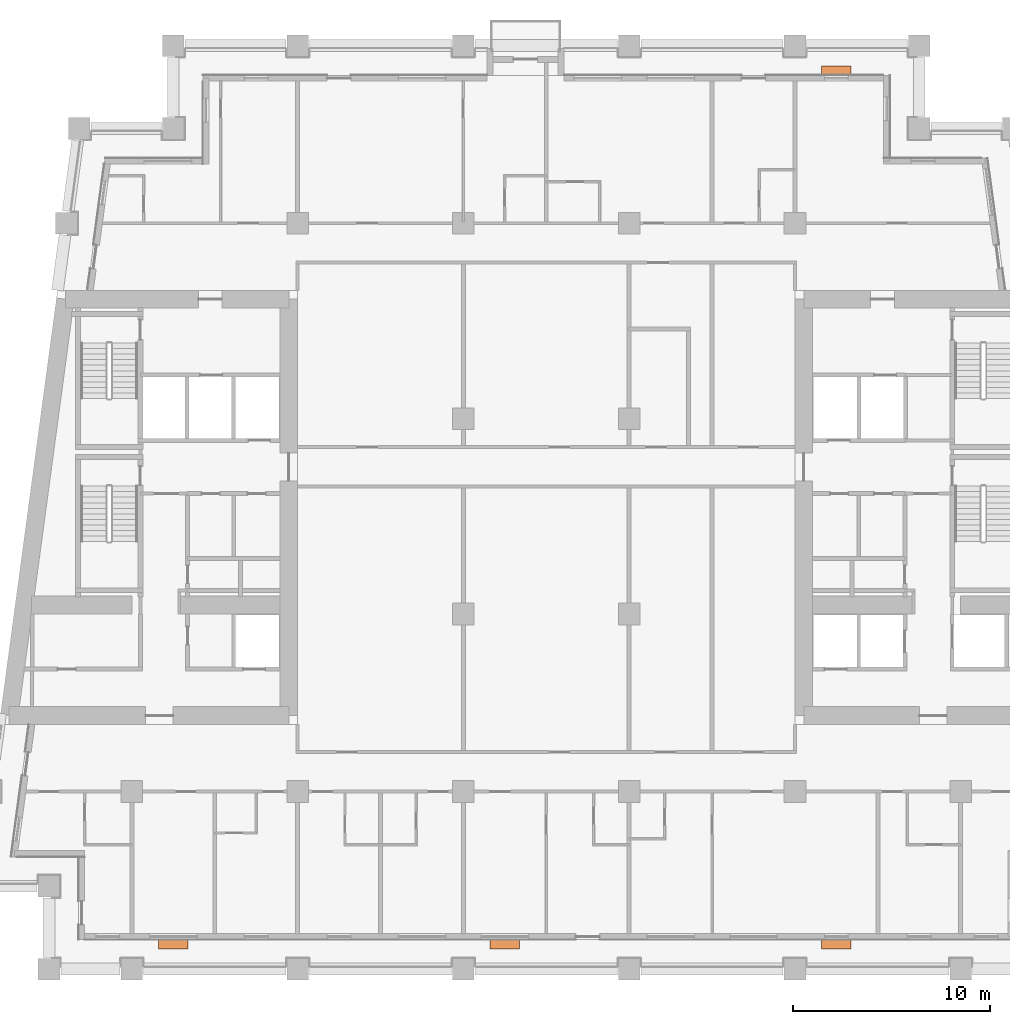
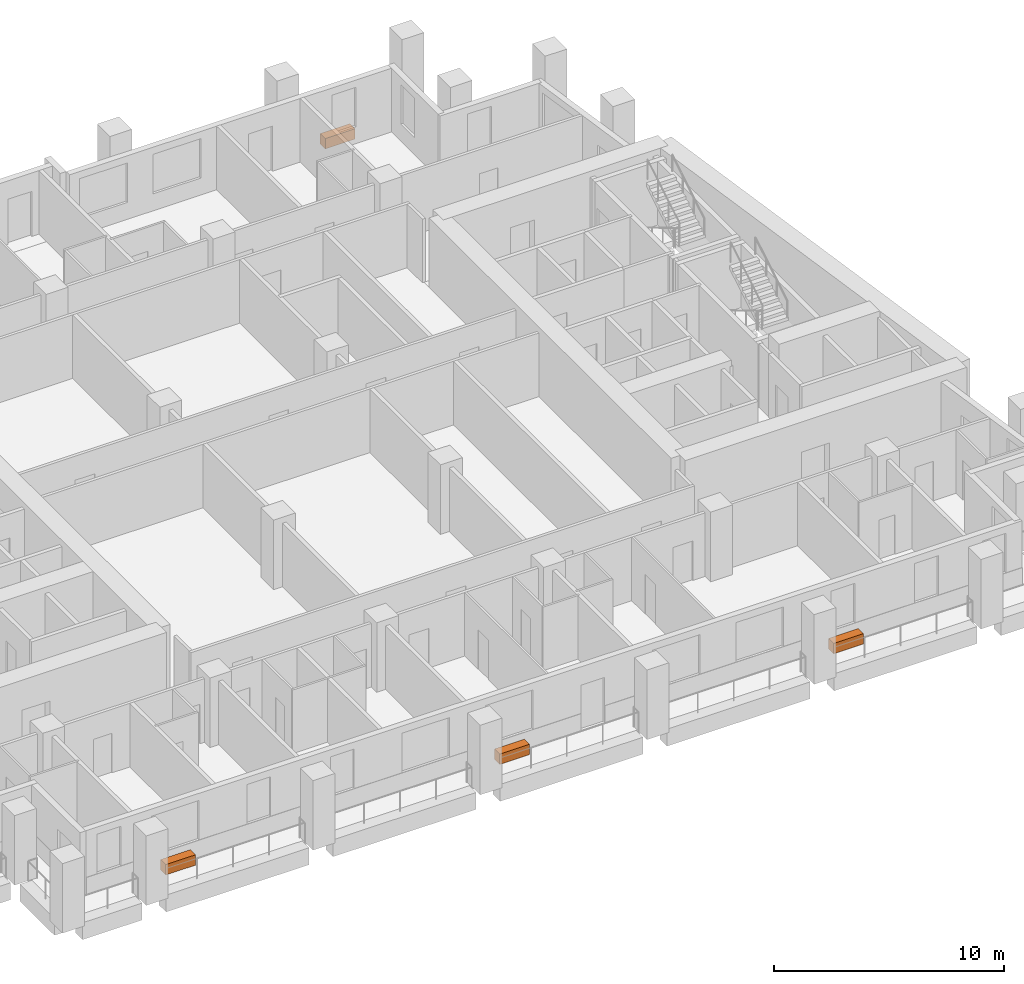
# One storey, part 12 of 12: 4 proxies.
"""IFC4 building model written with IfcOpenShell, lengths in metres."""

from ifc_helpers import new_model, si_unit, direction, frame, origin, origin_2d, place, context, subcontext, project, spatial, rectangle, extrude, element, save


model = new_model("IFC4")

# Units and contexts
model_context = context("Model", 3, precision=1e-05, world=origin(), true_north=direction((0.0, 1.0)))
body_context = subcontext(model_context, "Body", "Model", "MODEL_VIEW")
ifc_project = project(units=[si_unit("LENGTHUNIT", "METRE"), si_unit("AREAUNIT", "SQUARE_METRE"), si_unit("VOLUMEUNIT", "CUBIC_METRE"), si_unit("PLANEANGLEUNIT", "RADIAN"), si_unit("MASSUNIT", "GRAM", prefix="KILO")], contexts=[model_context])

# Site, building, storey
site_placement = place(None, origin())
site = spatial("IfcSite", under=ifc_project, at=site_placement, CompositionType="ELEMENT")
building_placement = place(site_placement, origin())
building = spatial("IfcBuilding", under=site, at=building_placement, Name="Candeia Pilgrim Tower and Theatre", CompositionType="ELEMENT")
storey_placement = place(building_placement, frame((0.0, 0.0, 147.800048828125)))
storey = spatial("IfcBuildingStorey", under=building, at=storey_placement, Name="L34", CompositionType="ELEMENT", Elevation=147.800048828125)

# Proxies
for number, where, z_axis, x_axis, name in (
    (1, (94.5, 99.2548828125, 0.0), (0.0, 0.0, 1.0), (1.0, 0.0, 0.0), "Planter"),
    (2, (111.300048828125, 99.2548828125, 0.0), (0.0, 0.0, 1.0), (1.0, 0.0, 0.0), "Planter"),
    (3, (128.10009765625, 99.2548828125, 0.0), (0.0, 0.0, 1.0), (1.0, 0.0, 0.0), "Planter"),
    (4, (128.10009765625, 143.544921875, 0.0), (0.0, 0.0, 1.0), (-1.0, 0.0, 0.0), "Planter"),
):
    element("IfcBuildingElementProxy", number, at=place(storey_placement, frame(where, z_axis=z_axis, x_axis=x_axis)), inside=storey, Name=name, ObjectType="PLANTER", PredefinedType="USERDEFINED", context=body_context, shape_type="SweptSolid", body=[
        extrude(rectangle(XDim=1.5, YDim=0.449951171875, at=origin_2d()), origin(), (0.0, 0.0, 1.0), 0.550048828125),
    ])

save(model, "model.ifc")
